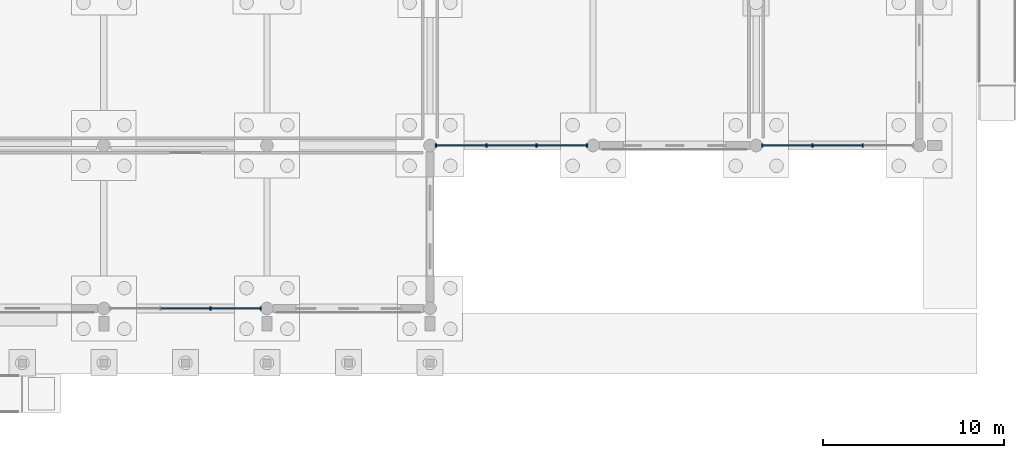
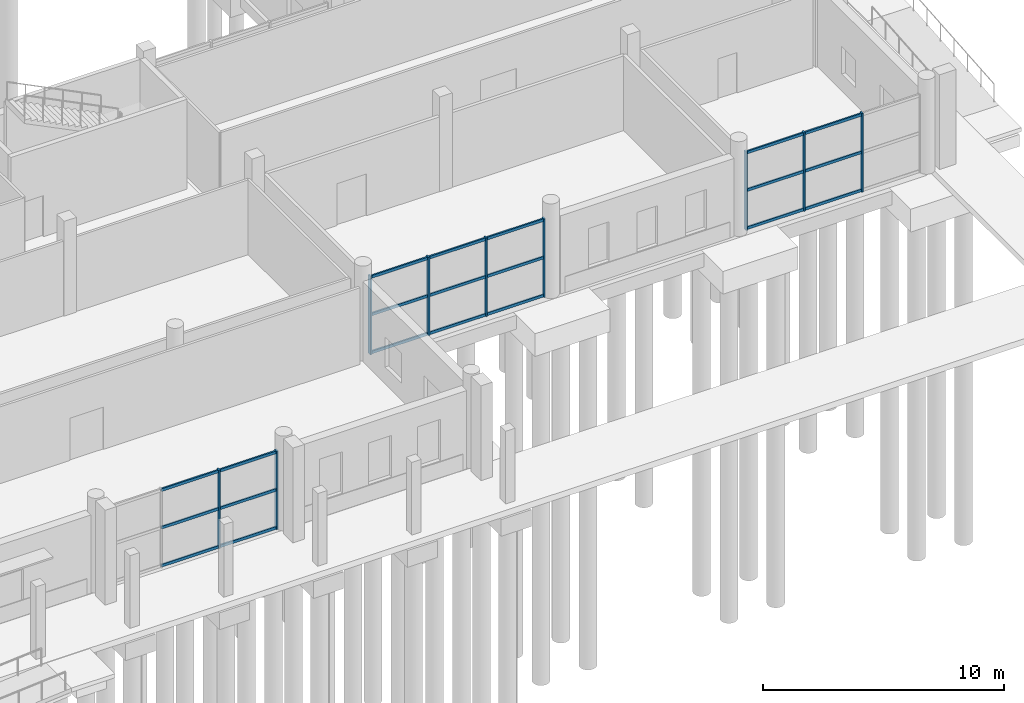
# One storey, part 55 of 112: 30 members, 3 elements without a shape of their own.
"""IFC4 building model written with IfcOpenShell, lengths in metres."""

from ifc_helpers import new_model, si_unit, direction, frame, origin, origin_2d, place, context, subcontext, project, spatial, rectangle, extrude, material, material_profile, profile_set, type_object, element, aggregate, save


model = new_model("IFC4")

# Units and contexts
model_context = context("Model", 3, precision=1e-05, world=origin(), true_north=direction((0.0, 1.0)))
body_context = subcontext(model_context, "Body", "Model", "MODEL_VIEW")
ifc_project = project(units=[si_unit("LENGTHUNIT", "METRE"), si_unit("AREAUNIT", "SQUARE_METRE"), si_unit("VOLUMEUNIT", "CUBIC_METRE"), si_unit("PLANEANGLEUNIT", "RADIAN"), si_unit("MASSUNIT", "GRAM", prefix="KILO")], contexts=[model_context])

# Site, building, storey
site_placement = place(None, origin())
site = spatial("IfcSite", under=ifc_project, at=site_placement, CompositionType="ELEMENT")
building_placement = place(site_placement, origin())
building = spatial("IfcBuilding", under=site, at=building_placement, Name="Tharagai Park Tramway Depot", CompositionType="ELEMENT")
storey_placement = place(building_placement, origin())
storey = spatial("IfcBuildingStorey", under=building, at=storey_placement, Name="L00", CompositionType="ELEMENT", Elevation=0.0)

# Curtain wall, members
ifc_material = material(Name="Anodised aluminium", Category="aluminium")
curtain_wall_type = type_object("IfcCurtainWallType", Name="CW-05", PredefinedType="NOTDEFINED", material=ifc_material)
curtain_wall_1_placement = place(storey_placement, origin())
curtain_wall_1 = element("IfcCurtainWall", 1, at=curtain_wall_1_placement, inside=storey, type_object=curtain_wall_type, Name="L00 V5 Gothic Mullioned Curtain Wall CW-05", PredefinedType="NOTDEFINED")
ifc_material_profile_1 = material_profile(ifc_material, rectangle(XDim=0.074951171875, YDim=0.175048828125, at=origin_2d()), Name="ALU 75x175")
ifc_profile_set_1 = profile_set([ifc_material_profile_1], Name="Anodised aluminium")
member_type_1 = type_object("IfcMemberType", Name="CM-02", PredefinedType="MULLION", material=ifc_profile_set_1)
member_1_placement = place(storey_placement, frame((176.88671875, 0.0, -0.0048828125), z_axis=(0.0, 0.0, 1.0), x_axis=(1.0, 0.0, 0.0)))
member_1 = element("IfcMember", 2, at=member_1_placement, type_object=member_type_1, Name="L00 V5 Gothic Mullioned Curtain Wall Mullion 3", PredefinedType="MULLION", context=body_context, shape_type="SweptSolid", body=[
    extrude(rectangle(XDim=0.074951171875, YDim=0.175048828125, at=origin_2d()), origin(), (0.0, 0.0, 1.0), 3.97998046875),
])
member_2_placement = place(storey_placement, frame((179.659912109375, 0.0, -0.0048828125), z_axis=(0.0, 0.0, 1.0), x_axis=(1.0, 0.0, 0.0)))
member_2 = element("IfcMember", 3, at=member_2_placement, type_object=member_type_1, Name="L00 V5 Gothic Mullioned Curtain Wall Mullion 4", PredefinedType="MULLION", context=body_context, shape_type="SweptSolid", body=[
    extrude(rectangle(XDim=0.074951171875, YDim=0.175048828125, at=origin_2d()), origin(), (0.0, 0.0, 1.0), 3.97998046875),
])

curtain_wall_2_placement = place(storey_placement, origin())
curtain_wall_2 = element("IfcCurtainWall", 4, at=curtain_wall_2_placement, inside=storey, type_object=curtain_wall_type, Name="L00 V5 Gothic Mullioned Curtain Wall CW-05", PredefinedType="NOTDEFINED")
member_3_placement = place(storey_placement, frame((189.340087890625, 9.0, -0.0048828125), z_axis=(0.0, 0.0, 1.0), x_axis=(1.0, 0.0, 0.0)))
member_3 = element("IfcMember", 5, at=member_3_placement, type_object=member_type_1, Name="L00 V5 Gothic Mullioned Curtain Wall Mullion 1", PredefinedType="MULLION", context=body_context, shape_type="SweptSolid", body=[
    extrude(rectangle(XDim=0.074951171875, YDim=0.175048828125, at=origin_2d()), origin(), (0.0, 0.0, 1.0), 3.97998046875),
])
member_4_placement = place(storey_placement, frame((192.11328125, 9.0, -0.0048828125), z_axis=(0.0, 0.0, 1.0), x_axis=(1.0, 0.0, 0.0)))
member_4 = element("IfcMember", 6, at=member_4_placement, type_object=member_type_1, Name="L00 V5 Gothic Mullioned Curtain Wall Mullion 2", PredefinedType="MULLION", context=body_context, shape_type="SweptSolid", body=[
    extrude(rectangle(XDim=0.074951171875, YDim=0.175048828125, at=origin_2d()), origin(), (0.0, 0.0, 1.0), 3.97998046875),
])
member_5_placement = place(storey_placement, frame((194.88671875, 9.0, -0.0048828125), z_axis=(0.0, 0.0, 1.0), x_axis=(1.0, 0.0, 0.0)))
member_5 = element("IfcMember", 7, at=member_5_placement, type_object=member_type_1, Name="L00 V5 Gothic Mullioned Curtain Wall Mullion 3", PredefinedType="MULLION", context=body_context, shape_type="SweptSolid", body=[
    extrude(rectangle(XDim=0.074951171875, YDim=0.175048828125, at=origin_2d()), origin(), (0.0, 0.0, 1.0), 3.97998046875),
])
member_6_placement = place(storey_placement, frame((197.659912109375, 9.0, -0.0048828125), z_axis=(0.0, 0.0, 1.0), x_axis=(1.0, 0.0, 0.0)))
member_6 = element("IfcMember", 8, at=member_6_placement, type_object=member_type_1, Name="L00 V5 Gothic Mullioned Curtain Wall Mullion 4", PredefinedType="MULLION", context=body_context, shape_type="SweptSolid", body=[
    extrude(rectangle(XDim=0.074951171875, YDim=0.175048828125, at=origin_2d()), origin(), (0.0, 0.0, 1.0), 3.97998046875),
])

curtain_wall_3_placement = place(storey_placement, origin())
curtain_wall_3 = element("IfcCurtainWall", 9, at=curtain_wall_3_placement, inside=storey, type_object=curtain_wall_type, Name="L00 V5 Gothic Mullioned Curtain Wall CW-05", PredefinedType="NOTDEFINED")
member_7_placement = place(storey_placement, frame((207.340087890625, 9.0, -0.0048828125), z_axis=(0.0, 0.0, 1.0), x_axis=(1.0, 0.0, 0.0)))
member_7 = element("IfcMember", 10, at=member_7_placement, type_object=member_type_1, Name="L00 V5 Gothic Mullioned Curtain Wall Mullion 1", PredefinedType="MULLION", context=body_context, shape_type="SweptSolid", body=[
    extrude(rectangle(XDim=0.074951171875, YDim=0.175048828125, at=origin_2d()), origin(), (0.0, 0.0, 1.0), 3.97998046875),
])
member_8_placement = place(storey_placement, frame((210.11328125, 9.0, -0.0048828125), z_axis=(0.0, 0.0, 1.0), x_axis=(1.0, 0.0, 0.0)))
member_8 = element("IfcMember", 11, at=member_8_placement, type_object=member_type_1, Name="L00 V5 Gothic Mullioned Curtain Wall Mullion 2", PredefinedType="MULLION", context=body_context, shape_type="SweptSolid", body=[
    extrude(rectangle(XDim=0.074951171875, YDim=0.175048828125, at=origin_2d()), origin(), (0.0, 0.0, 1.0), 3.97998046875),
])
member_9_placement = place(storey_placement, frame((212.88671875, 9.0, -0.0048828125), z_axis=(0.0, 0.0, 1.0), x_axis=(1.0, 0.0, 0.0)))
member_9 = element("IfcMember", 12, at=member_9_placement, type_object=member_type_1, Name="L00 V5 Gothic Mullioned Curtain Wall Mullion 3", PredefinedType="MULLION", context=body_context, shape_type="SweptSolid", body=[
    extrude(rectangle(XDim=0.074951171875, YDim=0.175048828125, at=origin_2d()), origin(), (0.0, 0.0, 1.0), 3.97998046875),
])

# Member
ifc_material_profile_2 = material_profile(ifc_material, rectangle(XDim=0.074951171875, YDim=0.139892578125, at=origin_2d()), Name="ALU 75x140")
ifc_profile_set_2 = profile_set([ifc_material_profile_2], Name="Anodised aluminium")
member_type_2 = type_object("IfcMemberType", Name="CM-04", PredefinedType="USERDEFINED", material=ifc_profile_set_2)
member_10_placement = place(storey_placement, frame((174.12841796875, 0.0, 0.06005859375), z_axis=(1.0, 0.0, 0.0), x_axis=(0.0, 1.0, 0.0)))
member_10 = element("IfcMember", 13, at=member_10_placement, type_object=member_type_2, Name="L00 V5 Gothic Mullioned Curtain Wall Transom 2.1", ObjectType="TRANSOM", PredefinedType="USERDEFINED", context=body_context, shape_type="SweptSolid", body=[
    extrude(rectangle(XDim=0.074951171875, YDim=0.139892578125, at=origin_2d()), origin(), (0.0, 0.0, 1.0), 2.7431640625),
])

member_11_placement = place(storey_placement, frame((174.12841796875, 0.0, 1.985107421875), z_axis=(1.0, 0.0, 0.0), x_axis=(0.0, 1.0, 0.0)))
member_11 = element("IfcMember", 14, at=member_11_placement, type_object=member_type_2, Name="L00 V5 Gothic Mullioned Curtain Wall Transom 2.2", ObjectType="TRANSOM", PredefinedType="USERDEFINED", context=body_context, shape_type="SweptSolid", body=[
    extrude(rectangle(XDim=0.074951171875, YDim=0.139892578125, at=origin_2d()), origin(), (0.0, 0.0, 1.0), 2.7431640625),
])

member_12_placement = place(storey_placement, frame((174.12841796875, 0.0, 3.889892578125), z_axis=(1.0, 0.0, 0.0), x_axis=(0.0, 1.0, 0.0)))
member_12 = element("IfcMember", 15, at=member_12_placement, type_object=member_type_2, Name="L00 V5 Gothic Mullioned Curtain Wall Transom 2.3", ObjectType="TRANSOM", PredefinedType="USERDEFINED", context=body_context, shape_type="SweptSolid", body=[
    extrude(rectangle(XDim=0.074951171875, YDim=0.139892578125, at=origin_2d()), origin(), (0.0, 0.0, 1.0), 2.7431640625),
])

member_13_placement = place(storey_placement, frame((176.901611328125, 0.0, 0.06005859375), z_axis=(1.0, 0.0, 0.0), x_axis=(0.0, 1.0, 0.0)))
member_13 = element("IfcMember", 16, at=member_13_placement, type_object=member_type_2, Name="L00 V5 Gothic Mullioned Curtain Wall Transom 3.1", ObjectType="TRANSOM", PredefinedType="USERDEFINED", context=body_context, shape_type="SweptSolid", body=[
    extrude(rectangle(XDim=0.074951171875, YDim=0.139892578125, at=origin_2d()), origin(), (0.0, 0.0, 1.0), 2.743408203125),
])

member_14_placement = place(storey_placement, frame((176.901611328125, 0.0, 1.985107421875), z_axis=(1.0, 0.0, 0.0), x_axis=(0.0, 1.0, 0.0)))
member_14 = element("IfcMember", 17, at=member_14_placement, type_object=member_type_2, Name="L00 V5 Gothic Mullioned Curtain Wall Transom 3.2", ObjectType="TRANSOM", PredefinedType="USERDEFINED", context=body_context, shape_type="SweptSolid", body=[
    extrude(rectangle(XDim=0.074951171875, YDim=0.139892578125, at=origin_2d()), origin(), (0.0, 0.0, 1.0), 2.743408203125),
])

member_15_placement = place(storey_placement, frame((176.901611328125, 0.0, 3.889892578125), z_axis=(1.0, 0.0, 0.0), x_axis=(0.0, 1.0, 0.0)))
member_15 = element("IfcMember", 18, at=member_15_placement, type_object=member_type_2, Name="L00 V5 Gothic Mullioned Curtain Wall Transom 3.3", ObjectType="TRANSOM", PredefinedType="USERDEFINED", context=body_context, shape_type="SweptSolid", body=[
    extrude(rectangle(XDim=0.074951171875, YDim=0.139892578125, at=origin_2d()), origin(), (0.0, 0.0, 1.0), 2.743408203125),
])

aggregate(curtain_wall_1, [member_1, member_2, member_10, member_11, member_12, member_13, member_14, member_15])

member_16_placement = place(storey_placement, frame((189.35498046875, 9.0, 0.06005859375), z_axis=(1.0, 0.0, 0.0), x_axis=(0.0, 1.0, 0.0)))
member_16 = element("IfcMember", 19, at=member_16_placement, type_object=member_type_2, Name="L00 V5 Gothic Mullioned Curtain Wall Transom 1.1", ObjectType="TRANSOM", PredefinedType="USERDEFINED", context=body_context, shape_type="SweptSolid", body=[
    extrude(rectangle(XDim=0.074951171875, YDim=0.139892578125, at=origin_2d()), origin(), (0.0, 0.0, 1.0), 2.743408203125),
])

member_17_placement = place(storey_placement, frame((189.35498046875, 9.0, 1.985107421875), z_axis=(1.0, 0.0, 0.0), x_axis=(0.0, 1.0, 0.0)))
member_17 = element("IfcMember", 20, at=member_17_placement, type_object=member_type_2, Name="L00 V5 Gothic Mullioned Curtain Wall Transom 1.2", ObjectType="TRANSOM", PredefinedType="USERDEFINED", context=body_context, shape_type="SweptSolid", body=[
    extrude(rectangle(XDim=0.074951171875, YDim=0.139892578125, at=origin_2d()), origin(), (0.0, 0.0, 1.0), 2.743408203125),
])

member_18_placement = place(storey_placement, frame((189.35498046875, 9.0, 3.889892578125), z_axis=(1.0, 0.0, 0.0), x_axis=(0.0, 1.0, 0.0)))
member_18 = element("IfcMember", 21, at=member_18_placement, type_object=member_type_2, Name="L00 V5 Gothic Mullioned Curtain Wall Transom 1.3", ObjectType="TRANSOM", PredefinedType="USERDEFINED", context=body_context, shape_type="SweptSolid", body=[
    extrude(rectangle(XDim=0.074951171875, YDim=0.139892578125, at=origin_2d()), origin(), (0.0, 0.0, 1.0), 2.743408203125),
])

member_19_placement = place(storey_placement, frame((192.12841796875, 9.0, 0.06005859375), z_axis=(1.0, 0.0, 0.0), x_axis=(0.0, 1.0, 0.0)))
member_19 = element("IfcMember", 22, at=member_19_placement, type_object=member_type_2, Name="L00 V5 Gothic Mullioned Curtain Wall Transom 2.1", ObjectType="TRANSOM", PredefinedType="USERDEFINED", context=body_context, shape_type="SweptSolid", body=[
    extrude(rectangle(XDim=0.074951171875, YDim=0.139892578125, at=origin_2d()), origin(), (0.0, 0.0, 1.0), 2.7431640625),
])

member_20_placement = place(storey_placement, frame((192.12841796875, 9.0, 1.985107421875), z_axis=(1.0, 0.0, 0.0), x_axis=(0.0, 1.0, 0.0)))
member_20 = element("IfcMember", 23, at=member_20_placement, type_object=member_type_2, Name="L00 V5 Gothic Mullioned Curtain Wall Transom 2.2", ObjectType="TRANSOM", PredefinedType="USERDEFINED", context=body_context, shape_type="SweptSolid", body=[
    extrude(rectangle(XDim=0.074951171875, YDim=0.139892578125, at=origin_2d()), origin(), (0.0, 0.0, 1.0), 2.7431640625),
])

member_21_placement = place(storey_placement, frame((192.12841796875, 9.0, 3.889892578125), z_axis=(1.0, 0.0, 0.0), x_axis=(0.0, 1.0, 0.0)))
member_21 = element("IfcMember", 24, at=member_21_placement, type_object=member_type_2, Name="L00 V5 Gothic Mullioned Curtain Wall Transom 2.3", ObjectType="TRANSOM", PredefinedType="USERDEFINED", context=body_context, shape_type="SweptSolid", body=[
    extrude(rectangle(XDim=0.074951171875, YDim=0.139892578125, at=origin_2d()), origin(), (0.0, 0.0, 1.0), 2.7431640625),
])

member_22_placement = place(storey_placement, frame((194.901611328125, 9.0, 0.06005859375), z_axis=(1.0, 0.0, 0.0), x_axis=(0.0, 1.0, 0.0)))
member_22 = element("IfcMember", 25, at=member_22_placement, type_object=member_type_2, Name="L00 V5 Gothic Mullioned Curtain Wall Transom 3.1", ObjectType="TRANSOM", PredefinedType="USERDEFINED", context=body_context, shape_type="SweptSolid", body=[
    extrude(rectangle(XDim=0.074951171875, YDim=0.139892578125, at=origin_2d()), origin(), (0.0, 0.0, 1.0), 2.743408203125),
])

member_23_placement = place(storey_placement, frame((194.901611328125, 9.0, 1.985107421875), z_axis=(1.0, 0.0, 0.0), x_axis=(0.0, 1.0, 0.0)))
member_23 = element("IfcMember", 26, at=member_23_placement, type_object=member_type_2, Name="L00 V5 Gothic Mullioned Curtain Wall Transom 3.2", ObjectType="TRANSOM", PredefinedType="USERDEFINED", context=body_context, shape_type="SweptSolid", body=[
    extrude(rectangle(XDim=0.074951171875, YDim=0.139892578125, at=origin_2d()), origin(), (0.0, 0.0, 1.0), 2.743408203125),
])

member_24_placement = place(storey_placement, frame((194.901611328125, 9.0, 3.889892578125), z_axis=(1.0, 0.0, 0.0), x_axis=(0.0, 1.0, 0.0)))
member_24 = element("IfcMember", 27, at=member_24_placement, type_object=member_type_2, Name="L00 V5 Gothic Mullioned Curtain Wall Transom 3.3", ObjectType="TRANSOM", PredefinedType="USERDEFINED", context=body_context, shape_type="SweptSolid", body=[
    extrude(rectangle(XDim=0.074951171875, YDim=0.139892578125, at=origin_2d()), origin(), (0.0, 0.0, 1.0), 2.743408203125),
])

aggregate(curtain_wall_2, [member_3, member_4, member_5, member_6, member_16, member_17, member_18, member_19, member_20, member_21, member_22, member_23, member_24])

member_25_placement = place(storey_placement, frame((207.35498046875, 9.0, 0.06005859375), z_axis=(1.0, 0.0, 0.0), x_axis=(0.0, 1.0, 0.0)))
member_25 = element("IfcMember", 28, at=member_25_placement, type_object=member_type_2, Name="L00 V5 Gothic Mullioned Curtain Wall Transom 1.1", ObjectType="TRANSOM", PredefinedType="USERDEFINED", context=body_context, shape_type="SweptSolid", body=[
    extrude(rectangle(XDim=0.074951171875, YDim=0.139892578125, at=origin_2d()), origin(), (0.0, 0.0, 1.0), 2.743408203125),
])

member_26_placement = place(storey_placement, frame((207.35498046875, 9.0, 1.985107421875), z_axis=(1.0, 0.0, 0.0), x_axis=(0.0, 1.0, 0.0)))
member_26 = element("IfcMember", 29, at=member_26_placement, type_object=member_type_2, Name="L00 V5 Gothic Mullioned Curtain Wall Transom 1.2", ObjectType="TRANSOM", PredefinedType="USERDEFINED", context=body_context, shape_type="SweptSolid", body=[
    extrude(rectangle(XDim=0.074951171875, YDim=0.139892578125, at=origin_2d()), origin(), (0.0, 0.0, 1.0), 2.743408203125),
])

member_27_placement = place(storey_placement, frame((207.35498046875, 9.0, 3.889892578125), z_axis=(1.0, 0.0, 0.0), x_axis=(0.0, 1.0, 0.0)))
member_27 = element("IfcMember", 30, at=member_27_placement, type_object=member_type_2, Name="L00 V5 Gothic Mullioned Curtain Wall Transom 1.3", ObjectType="TRANSOM", PredefinedType="USERDEFINED", context=body_context, shape_type="SweptSolid", body=[
    extrude(rectangle(XDim=0.074951171875, YDim=0.139892578125, at=origin_2d()), origin(), (0.0, 0.0, 1.0), 2.743408203125),
])

member_28_placement = place(storey_placement, frame((210.12841796875, 9.0, 0.06005859375), z_axis=(1.0, 0.0, 0.0), x_axis=(0.0, 1.0, 0.0)))
member_28 = element("IfcMember", 31, at=member_28_placement, type_object=member_type_2, Name="L00 V5 Gothic Mullioned Curtain Wall Transom 2.1", ObjectType="TRANSOM", PredefinedType="USERDEFINED", context=body_context, shape_type="SweptSolid", body=[
    extrude(rectangle(XDim=0.074951171875, YDim=0.139892578125, at=origin_2d()), origin(), (0.0, 0.0, 1.0), 2.7431640625),
])

member_29_placement = place(storey_placement, frame((210.12841796875, 9.0, 1.985107421875), z_axis=(1.0, 0.0, 0.0), x_axis=(0.0, 1.0, 0.0)))
member_29 = element("IfcMember", 32, at=member_29_placement, type_object=member_type_2, Name="L00 V5 Gothic Mullioned Curtain Wall Transom 2.2", ObjectType="TRANSOM", PredefinedType="USERDEFINED", context=body_context, shape_type="SweptSolid", body=[
    extrude(rectangle(XDim=0.074951171875, YDim=0.139892578125, at=origin_2d()), origin(), (0.0, 0.0, 1.0), 2.7431640625),
])

member_30_placement = place(storey_placement, frame((210.12841796875, 9.0, 3.889892578125), z_axis=(1.0, 0.0, 0.0), x_axis=(0.0, 1.0, 0.0)))
member_30 = element("IfcMember", 33, at=member_30_placement, type_object=member_type_2, Name="L00 V5 Gothic Mullioned Curtain Wall Transom 2.3", ObjectType="TRANSOM", PredefinedType="USERDEFINED", context=body_context, shape_type="SweptSolid", body=[
    extrude(rectangle(XDim=0.074951171875, YDim=0.139892578125, at=origin_2d()), origin(), (0.0, 0.0, 1.0), 2.7431640625),
])

aggregate(curtain_wall_3, [member_7, member_8, member_9, member_25, member_26, member_27, member_28, member_29, member_30])

save(model, "model.ifc")
